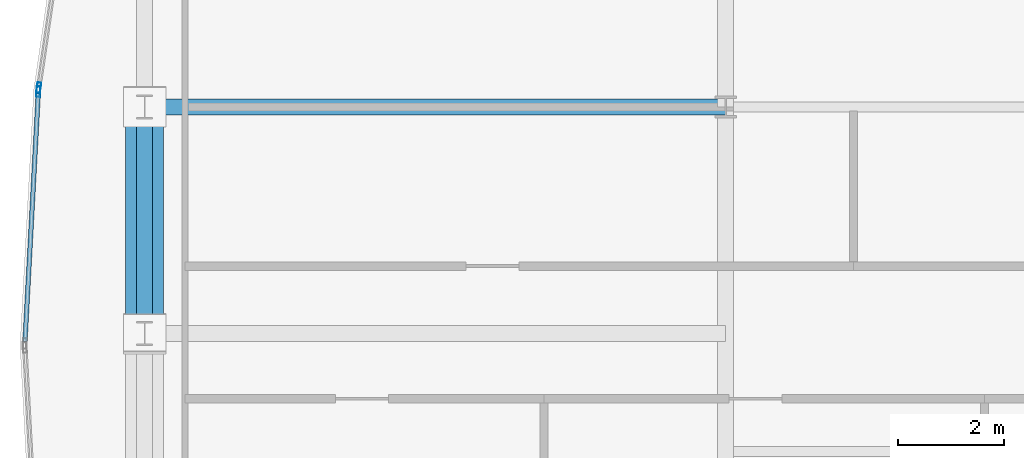
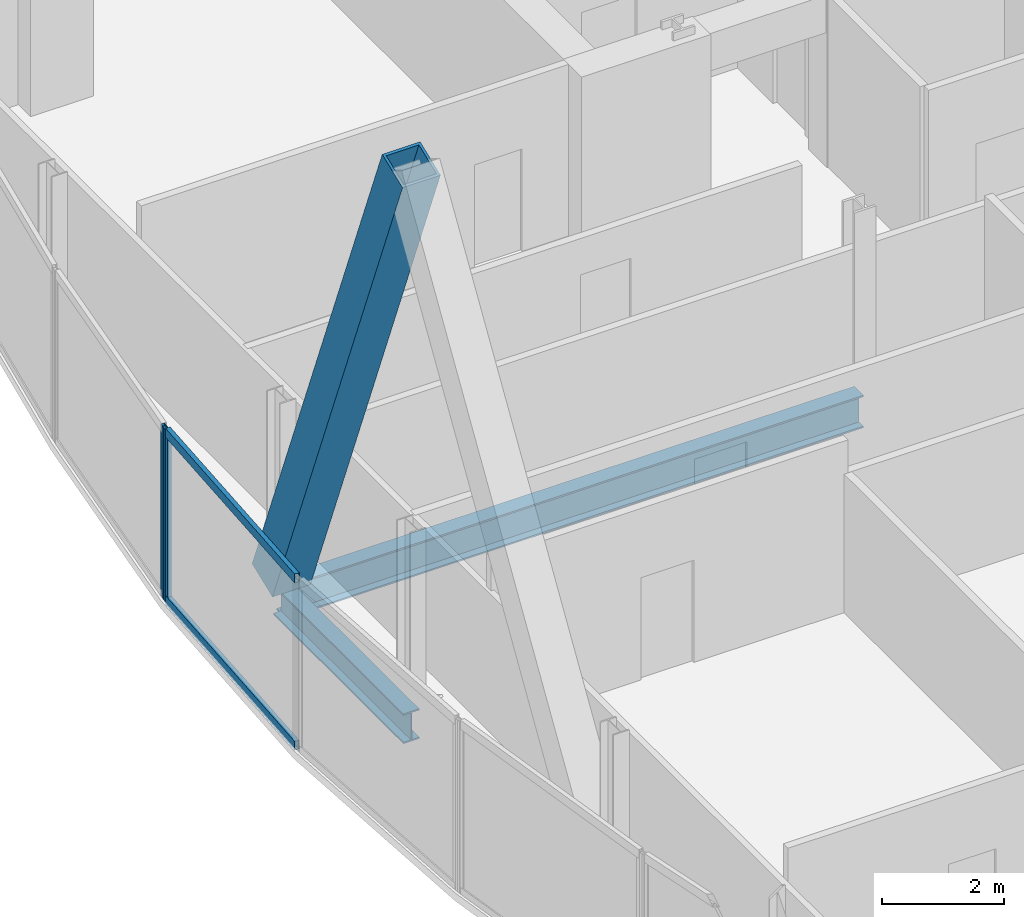
# One storey, part 11 of 32: 5 members, 2 beams, 2 elements without a shape of their own.
"""IFC4 building model written with IfcOpenShell, lengths in metres."""

from ifc_helpers import new_model, si_unit, direction, frame, origin, origin_2d, place, context, subcontext, project, spatial, hollow_rectangle, i_section, extrude, material, material_profile, profile_set, type_object, element, aggregate, save


model = new_model("IFC4")

# Units and contexts
model_context = context("Model", 3, precision=1e-05, world=origin(), true_north=direction((0.0, 1.0)))
body_context = subcontext(model_context, "Body", "Model", "MODEL_VIEW")
ifc_project = project(units=[si_unit("LENGTHUNIT", "METRE"), si_unit("AREAUNIT", "SQUARE_METRE"), si_unit("VOLUMEUNIT", "CUBIC_METRE"), si_unit("PLANEANGLEUNIT", "RADIAN"), si_unit("MASSUNIT", "GRAM", prefix="KILO")], contexts=[model_context])

# Site, building, storey
site_placement = place(None, origin())
site = spatial("IfcSite", under=ifc_project, at=site_placement, CompositionType="ELEMENT")
building_placement = place(site_placement, origin())
building = spatial("IfcBuilding", under=site, at=building_placement, Name="Khoronbel Lancet Exchange", CompositionType="ELEMENT")
storey_placement = place(building_placement, frame((0.0, 0.0, 221.0)))
storey = spatial("IfcBuildingStorey", under=building, at=storey_placement, Name="L56", CompositionType="ELEMENT", Elevation=221.0)

# Beams
ifc_material_1 = material(Name="Steel S355", Category="steel")
ifc_material_profile_1 = material_profile(ifc_material_1, i_section(OverallWidth=0.300048828125, OverallDepth=0.64990234375, WebThickness=0.01611328125, FlangeThickness=0.031005859375, at=origin_2d()), Name="HEB 650")
ifc_profile_set_1 = profile_set([ifc_material_profile_1], Name="Steel S355")
beam_type_1 = type_object("IfcBeamType", Name="BM-BG4", PredefinedType="BEAM", material=ifc_profile_set_1)
beam_1_placement = place(storey_placement, frame((7.27001953125, 35.699951171875, -0.485107421875), z_axis=(1.0, 0.0, 0.0), x_axis=(0.0, 1.0, 0.0)))
element("IfcBeam", 1, at=beam_1_placement, inside=storey, type_object=beam_type_1, Name="Level L56 west lens tie girder LG4W", PredefinedType="BEAM", context=body_context, shape_type="SweptSolid", body=[
    extrude(i_section(OverallWidth=0.300048828125, OverallDepth=0.64990234375, WebThickness=0.01611328125, FlangeThickness=0.031005859375, at=origin_2d()), origin(), (0.0, 0.0, 1.0), 10.955078125),
])
ifc_material_profile_2 = material_profile(ifc_material_1, i_section(OverallWidth=0.300048828125, OverallDepth=0.60009765625, WebThickness=0.015380859375, FlangeThickness=0.030029296875, at=origin_2d()), Name="HEB 600")
ifc_profile_set_2 = profile_set([ifc_material_profile_2], Name="Steel S355")
beam_type_2 = type_object("IfcBeamType", Name="BM-BSP2", PredefinedType="SPANDREL", material=ifc_profile_set_2)
beam_2_placement = place(storey_placement, frame((7.27001953125, 35.699951171875, -0.4599609375), z_axis=(0.0, -1.0, 0.0), x_axis=(1.0, 0.0, 0.0)))
element("IfcBeam", 2, at=beam_2_placement, inside=storey, type_object=beam_type_2, Name="Level L56 perimeter spandrel beam SP18", PredefinedType="SPANDREL", context=body_context, shape_type="SweptSolid", body=[
    extrude(i_section(OverallWidth=0.300048828125, OverallDepth=0.60009765625, WebThickness=0.015380859375, FlangeThickness=0.030029296875, at=origin_2d()), origin(), (0.0, 0.0, 1.0), 4.27490234375),
])

# Curtain wall, member
ifc_material_2 = material(Name="Low-E Solar Control Insulating Glass", Category="glass")
curtain_wall_type = type_object("IfcCurtainWallType", Name="CW-4", PredefinedType="NOTDEFINED", material=ifc_material_2)
curtain_wall_1_placement = place(storey_placement, origin())
curtain_wall_1 = element("IfcCurtainWall", 3, at=curtain_wall_1_placement, inside=storey, type_object=curtain_wall_type, Name="Unitised curtain wall CW-L56-E07", PredefinedType="NOTDEFINED")
ifc_material_3 = material(Name="Bronze-Anodised Aluminium 6063-T6", Category="aluminium")
ifc_material_profile_3 = material_profile(ifc_material_3, hollow_rectangle(XDim=0.074951171875, YDim=0.199951171875, WallThickness=0.0048828125, at=origin_2d()), Name="ALU MULLION 75x200")
ifc_profile_set_3 = profile_set([ifc_material_profile_3], Name="Bronze-Anodised Aluminium 6063-T6")
member_type_1 = type_object("IfcMemberType", Name="MEM-CWM2", PredefinedType="MULLION", material=ifc_profile_set_3)
member_1_placement = place(storey_placement, frame((5.265869140625, 35.987060546875, 0.0), z_axis=(0.0, 0.0, 1.0), x_axis=(-0.998570895104, 0.053443123521, 0.0)))
member_1 = element("IfcMember", 4, at=member_1_placement, type_object=member_type_1, Name="CW4 mullion 2", PredefinedType="MULLION", context=body_context, shape_type="SweptSolid", body=[
    extrude(hollow_rectangle(XDim=0.074951171875, YDim=0.199951171875, WallThickness=0.0048828125, at=origin_2d()), origin(), (0.0, 0.0, 1.0), 3.43994140625),
])

curtain_wall_2_placement = place(storey_placement, origin())
curtain_wall_2 = element("IfcCurtainWall", 5, at=curtain_wall_2_placement, inside=storey, type_object=curtain_wall_type, Name="Unitised curtain wall CW-L56-E08", PredefinedType="NOTDEFINED")
member_2_placement = place(storey_placement, frame((5.2734375, 36.0615234375, 0.0), z_axis=(0.0, 0.0, 1.0), x_axis=(-0.989484260483, 0.144640583019, 0.0)))
member_2 = element("IfcMember", 6, at=member_2_placement, type_object=member_type_1, Name="CW4 mullion 1", PredefinedType="MULLION", context=body_context, shape_type="SweptSolid", body=[
    extrude(hollow_rectangle(XDim=0.074951171875, YDim=0.199951171875, WallThickness=0.0048828125, at=origin_2d()), origin(), (0.0, 0.0, 1.0), 3.43994140625),
])
aggregate(curtain_wall_2, [member_2])

# Member
ifc_material_profile_4 = material_profile(ifc_material_3, hollow_rectangle(XDim=0.0849609375, YDim=0.179931640625, WallThickness=0.0048828125, at=origin_2d()), Name="ALU TRANSOM 85x180")
ifc_profile_set_4 = profile_set([ifc_material_profile_4], Name="Bronze-Anodised Aluminium 6063-T6")
member_type_2 = type_object("IfcMemberType", Name="MEM-CWT1", PredefinedType="USERDEFINED", material=ifc_profile_set_4)
member_3_placement = place(storey_placement, frame((5.013671875, 31.27490234375, 0.04248046875), z_axis=(0.053456647282, 0.998570171226, 0.0), x_axis=(-0.998570171226, 0.053456647282, 0.0)))
member_3 = element("IfcMember", 7, at=member_3_placement, type_object=member_type_2, Name="CW4 transom 1.1", ObjectType="TRANSOM", PredefinedType="USERDEFINED", context=body_context, shape_type="SweptSolid", body=[
    extrude(hollow_rectangle(XDim=0.0849609375, YDim=0.179931640625, WallThickness=0.0048828125, at=origin_2d()), origin(), (0.0, 0.0, 1.0), 4.68115234375),
])

member_4_placement = place(storey_placement, frame((5.013671875, 31.27490234375, 3.3974609375), z_axis=(0.053456647282, 0.998570171226, 0.0), x_axis=(-0.998570171226, 0.053456647282, 0.0)))
member_4 = element("IfcMember", 8, at=member_4_placement, type_object=member_type_2, Name="CW4 transom 1.2", ObjectType="TRANSOM", PredefinedType="USERDEFINED", context=body_context, shape_type="SweptSolid", body=[
    extrude(hollow_rectangle(XDim=0.0849609375, YDim=0.179931640625, WallThickness=0.0048828125, at=origin_2d()), origin(), (0.0, 0.0, 1.0), 4.68115234375),
])

aggregate(curtain_wall_1, [member_1, member_3, member_4])

ifc_material_4 = material(Name="Steel S460", Category="steel")
ifc_material_profile_5 = material_profile(ifc_material_4, hollow_rectangle(XDim=0.719970703125, YDim=0.719970703125, WallThickness=0.050048828125, at=origin_2d()), Name="BOX 720x720x50")
ifc_profile_set_5 = profile_set([ifc_material_profile_5], Name="Steel S460")
member_type_3 = type_object("IfcMemberType", Name="MEM-MB2", PredefinedType="BRACE", material=ifc_profile_set_5)
member_5_placement = place(storey_placement, frame((7.27001953125, 35.699951171875, 0.0), z_axis=(0.0, -0.368039743753, 0.929810059646), x_axis=(1.0, 0.0, 0.0)))
element("IfcMember", 9, at=member_5_placement, inside=storey, type_object=member_type_3, Name="Perimeter lancet brace tier 19 W-P-R", PredefinedType="BRACE", context=body_context, shape_type="SweptSolid", body=[
    extrude(hollow_rectangle(XDim=0.719970703125, YDim=0.719970703125, WallThickness=0.050048828125, at=origin_2d()), origin(), (0.0, 0.0, 1.0), 11.615234375),
])

save(model, "model.ifc")
